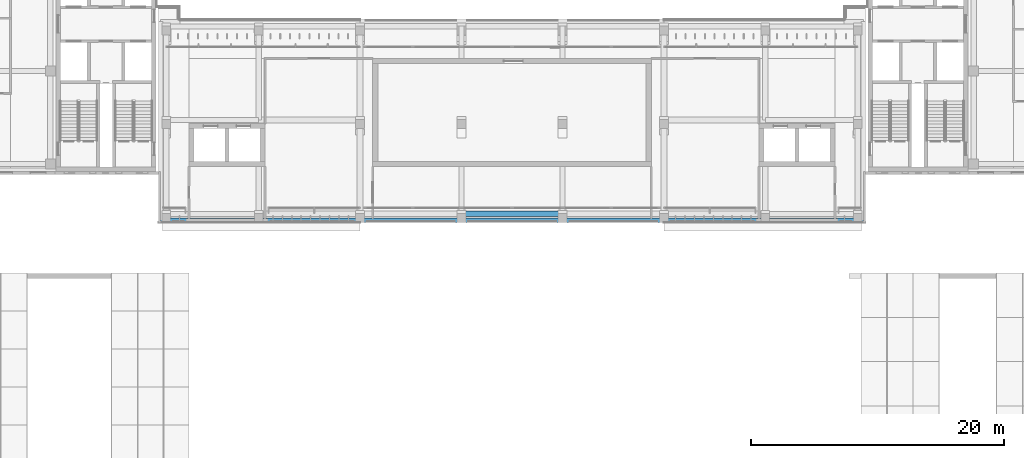
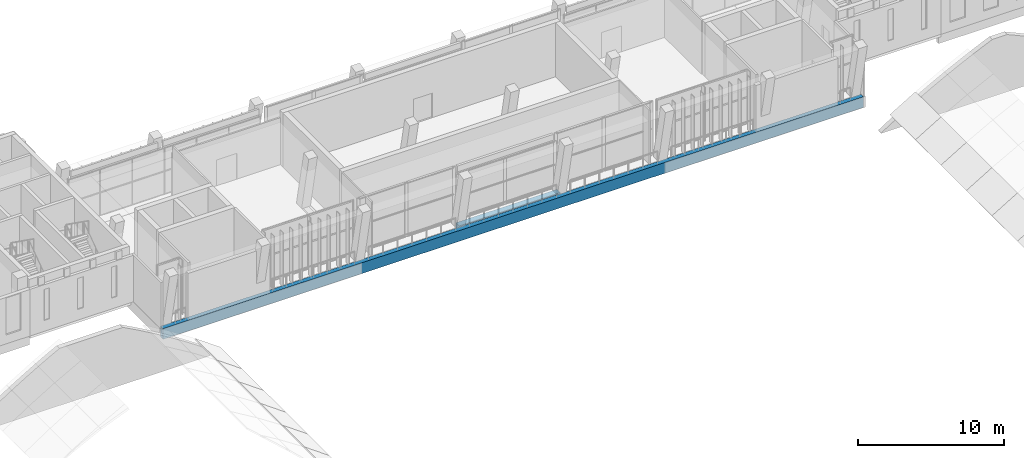
# One storey, part 6 of 74: 2 beams.
"""IFC4 building model written with IfcOpenShell, lengths in metres."""

from ifc_helpers import new_model, si_unit, direction, frame, origin, origin_2d, place, context, subcontext, project, spatial, rectangle, extrude, material, material_profile, profile_set, type_object, element, save


model = new_model("IFC4")

# Units and contexts
model_context = context("Model", 3, precision=1e-05, world=origin(), true_north=direction((0.0, 1.0)))
body_context = subcontext(model_context, "Body", "Model", "MODEL_VIEW")
ifc_project = project(units=[si_unit("LENGTHUNIT", "METRE"), si_unit("AREAUNIT", "SQUARE_METRE"), si_unit("VOLUMEUNIT", "CUBIC_METRE"), si_unit("PLANEANGLEUNIT", "RADIAN"), si_unit("MASSUNIT", "GRAM", prefix="KILO")], contexts=[model_context])

# Site, building, storey
site_placement = place(None, origin())
site = spatial("IfcSite", under=ifc_project, at=site_placement, CompositionType="ELEMENT")
building_placement = place(site_placement, origin())
building = spatial("IfcBuilding", under=site, at=building_placement, Name="Lantern Court Media Centre", CompositionType="ELEMENT")
storey_placement = place(building_placement, frame((0.0, 0.0, 19.199951171875)))
storey = spatial("IfcBuildingStorey", under=building, at=storey_placement, Name="L04", CompositionType="ELEMENT", Elevation=19.199951171875)

# Beams
ifc_material = material(Name="Concrete C35", Category="concrete")
ifc_material_profile_1 = material_profile(ifc_material, rectangle(XDim=0.35009765625, YDim=0.89990234375, at=origin_2d()), Name="RC 350x900")
ifc_profile_set_1 = profile_set([ifc_material_profile_1], Name="Concrete C35")
beam_type_1 = type_object("IfcBeamType", Name="RC BEAM 350x900", PredefinedType="BEAM", material=ifc_profile_set_1)
beam_1_placement = place(storey_placement, frame((24.25, 44.14990234375, -0.449951171875), z_axis=(1.0, 0.0, 0.0), x_axis=(0.0, 1.0, 0.0)))
element("IfcBeam", 1, at=beam_1_placement, inside=storey, type_object=beam_type_1, Name="EB-S-L04-A", PredefinedType="BEAM", context=body_context, shape_type="SweptSolid", body=[
    extrude(rectangle(XDim=0.35009765625, YDim=0.89990234375, at=origin_2d()), origin(), (0.0, 0.0, 1.0), 55.5),
])
ifc_material_profile_2 = material_profile(ifc_material, rectangle(XDim=0.449951171875, YDim=0.699951171875, at=origin_2d()), Name="RC 450x700")
ifc_profile_set_2 = profile_set([ifc_material_profile_2], Name="Concrete C35")
beam_type_2 = type_object("IfcBeamType", Name="RC BEAM 450x700", PredefinedType="BEAM", material=ifc_profile_set_2)
beam_2_placement = place(storey_placement, frame((48.0, 44.6728515625, -0.349853515625), z_axis=(1.0, 0.0, 0.0), x_axis=(0.0, 1.0, 0.0)))
element("IfcBeam", 2, at=beam_2_placement, inside=storey, type_object=beam_type_2, Name="LB-S-L04-0-3", PredefinedType="BEAM", context=body_context, shape_type="SweptSolid", body=[
    extrude(rectangle(XDim=0.449951171875, YDim=0.699951171875, at=origin_2d()), origin(), (0.0, 0.0, 1.0), 8.0),
])

save(model, "model.ifc")
